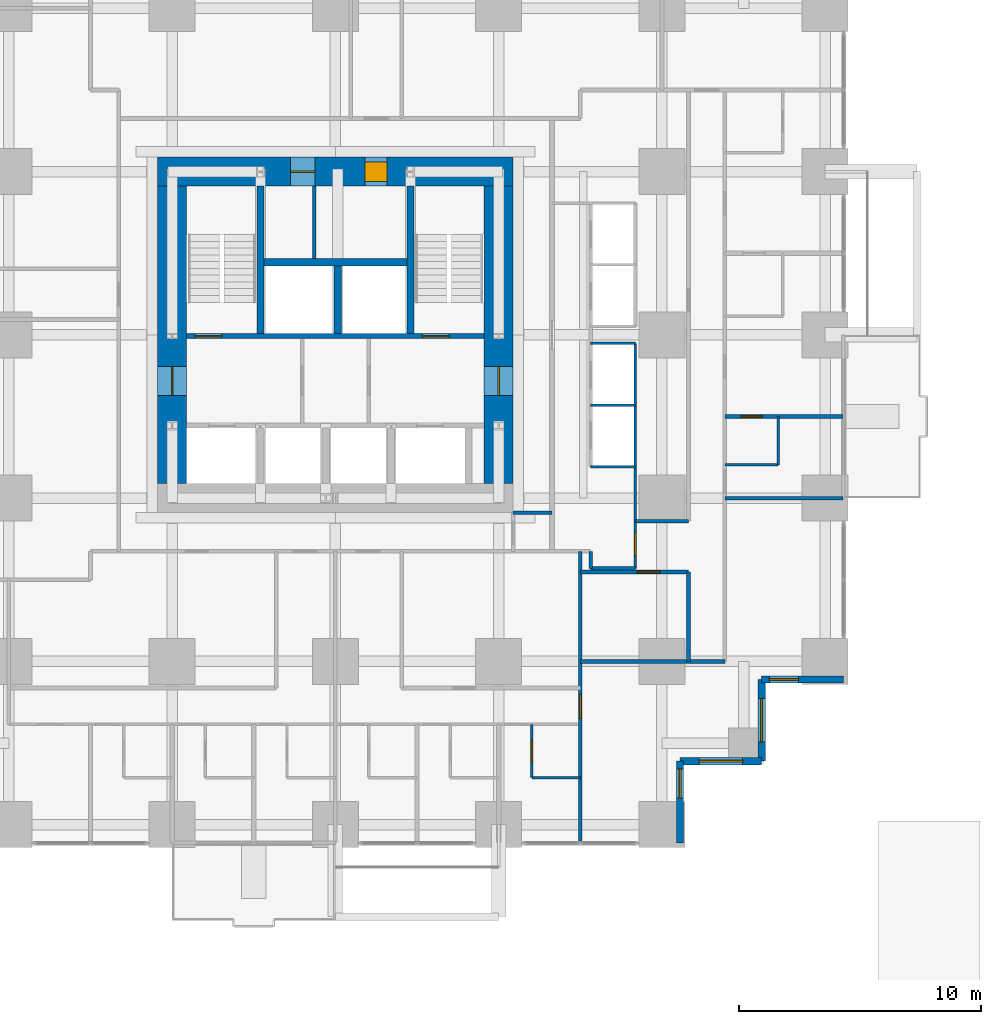
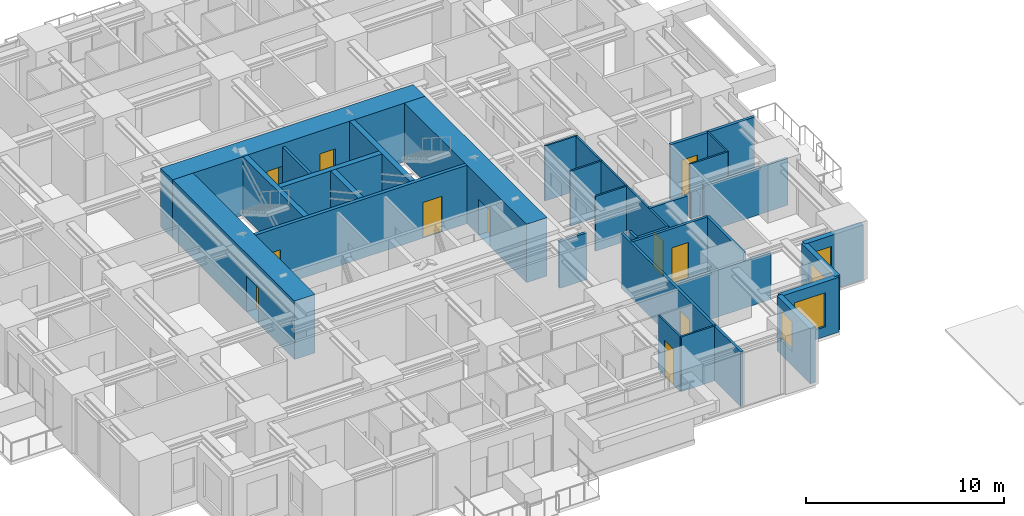
# One storey, part 10 of 14: 31 walls, 11 doors, 4 windows, 15 openings.
"""IFC4 building model written with IfcOpenShell, lengths in metres."""

from ifc_helpers import new_model, si_unit, direction, frame, frame_2d, origin, place, context, subcontext, project, spatial, rectangle, extrude, material, layer, layer_set, type_object, element, fill, save


model = new_model("IFC4")

# Units and contexts
model_context = context("Model", 3, precision=1e-05, world=origin(), true_north=direction((0.0, 1.0)))
body_context = subcontext(model_context, "Body", "Model", "MODEL_VIEW")
ifc_project = project(units=[si_unit("LENGTHUNIT", "METRE"), si_unit("AREAUNIT", "SQUARE_METRE"), si_unit("VOLUMEUNIT", "CUBIC_METRE"), si_unit("PLANEANGLEUNIT", "RADIAN"), si_unit("MASSUNIT", "GRAM", prefix="KILO")], contexts=[model_context])

# Site, building, storey
site_placement = place(None, origin())
site = spatial("IfcSite", under=ifc_project, at=site_placement, CompositionType="ELEMENT")
building_placement = place(site_placement, origin())
building = spatial("IfcBuilding", under=site, at=building_placement, Name="Nyansa Garden Tower", CompositionType="ELEMENT")
storey_placement = place(building_placement, frame((0.0, 0.0, 18.0)))
storey = spatial("IfcBuildingStorey", under=building, at=storey_placement, Name="L04", CompositionType="ELEMENT", Elevation=18.0)

# Wall, opening, door
ifc_material_1 = material(Name="Dense blockwork, plastered both sides, 55 dB", Category="masonry")
ifc_layer_1 = layer(ifc_material_1, 0.175048828125)
ifc_layer_set_1 = layer_set([ifc_layer_1], Name="Acoustic party wall PW175")
wall_type_1 = type_object("IfcWallType", Name="Acoustic party wall PW175", PredefinedType="PARTITIONING", material=ifc_layer_set_1)
wall_1_placement = place(storey_placement, frame((36.35009765625, 16.875, 0.0), z_axis=(0.0, 0.0, 1.0), x_axis=(1.0, 0.0, 0.0)))
wall_1 = element("IfcWall", 1, at=wall_1_placement, inside=storey, type_object=wall_type_1, Name="Party wall", PredefinedType="PARTITIONING", context=body_context, shape_type="SweptSolid", body=[
    extrude(rectangle(XDim=4.8837890625, YDim=0.175048828125, at=frame_2d((2.44189453125, 0.0))), origin(), (0.0, 0.0, 1.0), 3.375),
])
opening_1_placement = place(wall_1_placement, frame((0.64990234375, 0.0, 0.0)))
opening_1 = element("IfcOpeningElement", 2, at=opening_1_placement, cuts=wall_1, Name="Opening D02", PredefinedType="OPENING", context=body_context, shape_type="SweptSolid", body=[
    extrude(rectangle(XDim=0.89990234375, YDim=2.199951171875, at=frame_2d((0.449951171875, 1.10009765625))), frame((0.0, 0.097412109375, 0.0), z_axis=(0.0, -1.0, 0.0), x_axis=(1.0, 0.0, 0.0)), (0.0, 0.0, 1.0), 0.195068359375),
])
ifc_material_2 = material(Name="Timber flush door", Category="wood")
door_type_1 = type_object("IfcDoorType", Name="En-suite door D02 900x2200", OperationType="SINGLE_SWING_RIGHT", PredefinedType="DOOR", material=ifc_material_2)
door_1_placement = place(opening_1_placement, origin())
door_1 = element("IfcDoor", 3, at=door_1_placement, inside=storey, type_object=door_type_1, Name="Door L04-040", OperationType="SINGLE_SWING_RIGHT", OverallHeight=2.199951171875, OverallWidth=0.89990234375, PredefinedType="DOOR", context=body_context, shape_type="SweptSolid", body=[
    extrude(rectangle(XDim=0.89990234375, YDim=2.199951171875, at=frame_2d((0.449951171875, 1.10009765625))), frame((0.0, 0.02490234375, 0.0), z_axis=(0.0, -1.0, 0.0), x_axis=(1.0, 0.0, 0.0)), (0.0, 0.0, 1.0), 0.050048828125),
])
fill(opening_1, door_1)

# Wall, openings, doors
ifc_material_3 = material(Name="Concrete C70/85", Category="concrete")
ifc_layer_2 = layer(ifc_material_3, 0.199951171875)
ifc_layer_set_2 = layer_set([ifc_layer_2], Name="Core inner wall CI200")
wall_type_2 = type_object("IfcWallType", Name="Core inner wall CI200", PredefinedType="SHEAR", material=ifc_layer_set_2)
wall_2_placement = place(storey_placement, frame((14.10009765625, 20.199951171875, 0.0), z_axis=(0.0, 0.0, 1.0), x_axis=(1.0, 0.0, 0.0)))
wall_2 = element("IfcWall", 4, at=wall_2_placement, inside=storey, type_object=wall_type_2, Name="Core inner wall L04", PredefinedType="SHEAR", context=body_context, shape_type="SweptSolid", body=[
    extrude(rectangle(XDim=12.2998046875, YDim=0.199951171875, at=frame_2d((6.14990234375, 0.0))), origin(), (0.0, 0.0, 1.0), 3.60009765625),
])
opening_2_placement = place(wall_2_placement, frame((0.35009765625, 0.0, 0.0)))
opening_2 = element("IfcOpeningElement", 5, at=opening_2_placement, cuts=wall_2, Name="Opening D05", PredefinedType="OPENING", context=body_context, shape_type="SweptSolid", body=[
    extrude(rectangle(XDim=1.10009765625, YDim=2.199951171875, at=frame_2d((0.550048828125, 1.10009765625))), frame((0.0, 0.10986328125, 0.0), z_axis=(0.0, -1.0, 0.0), x_axis=(1.0, 0.0, 0.0)), (0.0, 0.0, 1.0), 0.219970703125),
])
opening_3_placement = place(wall_2_placement, frame((9.75, 0.0, 0.0)))
opening_3 = element("IfcOpeningElement", 6, at=opening_3_placement, cuts=wall_2, Name="Opening D05", PredefinedType="OPENING", context=body_context, shape_type="SweptSolid", body=[
    extrude(rectangle(XDim=1.10009765625, YDim=2.199951171875, at=frame_2d((0.550048828125, 1.10009765625))), frame((0.0, 0.10986328125, 0.0), z_axis=(0.0, -1.0, 0.0), x_axis=(1.0, 0.0, 0.0)), (0.0, 0.0, 1.0), 0.219970703125),
])
ifc_material_4 = material(Name="Steel door, 120 minute fire resisting", Category="steel")
door_type_2 = type_object("IfcDoorType", Name="Stair door D05 1100x2200", OperationType="SINGLE_SWING_LEFT", PredefinedType="DOOR", material=ifc_material_4)
door_2_placement = place(opening_2_placement, origin())
door_2 = element("IfcDoor", 7, at=door_2_placement, inside=storey, type_object=door_type_2, Name="Stair S1 door", OperationType="SINGLE_SWING_LEFT", OverallHeight=2.199951171875, OverallWidth=1.10009765625, PredefinedType="DOOR", context=body_context, shape_type="SweptSolid", body=[
    extrude(rectangle(XDim=1.10009765625, YDim=2.199951171875, at=frame_2d((0.550048828125, 1.10009765625))), frame((0.0, 0.02490234375, 0.0), z_axis=(0.0, -1.0, 0.0), x_axis=(1.0, 0.0, 0.0)), (0.0, 0.0, 1.0), 0.050048828125),
])
fill(opening_2, door_2)
door_3_placement = place(opening_3_placement, origin())
door_3 = element("IfcDoor", 8, at=door_3_placement, inside=storey, type_object=door_type_2, Name="Stair S2 door", OperationType="SINGLE_SWING_LEFT", OverallHeight=2.199951171875, OverallWidth=1.10009765625, PredefinedType="DOOR", context=body_context, shape_type="SweptSolid", body=[
    extrude(rectangle(XDim=1.10009765625, YDim=2.199951171875, at=frame_2d((0.550048828125, 1.10009765625))), frame((0.0, 0.02490234375, 0.0), z_axis=(0.0, -1.0, 0.0), x_axis=(1.0, 0.0, 0.0)), (0.0, 0.0, 1.0), 0.050048828125),
])
fill(opening_3, door_3)

# Walls
ifc_material_5 = material(Name="Concrete C70/85", Category="concrete")
ifc_layer_3 = layer(ifc_material_5, 0.300048828125)
ifc_layer_set_3 = layer_set([ifc_layer_3], Name="Core inner wall CI300")
wall_type_3 = type_object("IfcWallType", Name="Core inner wall CI300", PredefinedType="SHEAR", material=ifc_layer_set_3)
for number, where, z_axis, x_axis, name in (
    (9, (17.14990234375, 20.300048828125, 0.0), (0.0, 0.0, 1.0), (0.0, 1.0, 0.0), "Core inner wall L04"),
    (10, (23.35009765625, 20.300048828125, 0.0), (0.0, 0.0, 1.0), (0.0, 1.0, 0.0), "Core inner wall L04"),
):
    element("IfcWall", number, at=place(storey_placement, frame(where, z_axis=z_axis, x_axis=x_axis)), inside=storey, type_object=wall_type_3, Name=name, PredefinedType="SHEAR", context=body_context, shape_type="SweptSolid", body=[
        extrude(rectangle(XDim=6.099853515625, YDim=0.300048828125, at=frame_2d((3.0498046875, 0.0))), origin(), (0.0, 0.0, 1.0), 3.60009765625),
    ])
wall_3_placement = place(storey_placement, frame((20.35009765625, 20.300048828125, 0.0), z_axis=(0.0, 0.0, 1.0), x_axis=(0.0, 1.0, 0.0)))
element("IfcWall", 11, at=wall_3_placement, inside=storey, type_object=wall_type_3, Name="Core inner wall L04", PredefinedType="SHEAR", context=body_context, shape_type="SweptSolid", body=[
    extrude(rectangle(XDim=2.800048828125, YDim=0.300048828125, at=frame_2d((1.39990234375, 0.0))), origin(), (0.0, 0.0, 1.0), 3.60009765625),
])
wall_4_placement = place(storey_placement, frame((17.300048828125, 23.25, 0.0), z_axis=(0.0, 0.0, 1.0), x_axis=(1.0, 0.0, 0.0)))
element("IfcWall", 12, at=wall_4_placement, inside=storey, type_object=wall_type_3, Name="Core inner wall L04", PredefinedType="SHEAR", context=body_context, shape_type="SweptSolid", body=[
    extrude(rectangle(XDim=5.89990234375, YDim=0.300048828125, at=frame_2d((2.949951171875, 0.0))), origin(), (0.0, 0.0, 1.0), 3.60009765625),
])

# Wall, opening, door
ifc_material_6 = material(Name="Concrete C80/95", Category="concrete")
ifc_layer_4 = layer(ifc_material_6, 1.199951171875)
ifc_layer_set_4 = layer_set([ifc_layer_4], Name="Core wall CW1200")
wall_type_4 = type_object("IfcWallType", Name="Core wall CW1200", PredefinedType="SHEAR", material=ifc_layer_set_4)
wall_5_placement = place(storey_placement, frame((27.0, 14.10009765625, 0.0), z_axis=(0.0, 0.0, 1.0), x_axis=(0.0, 1.0, 0.0)))
wall_5 = element("IfcWall", 13, at=wall_5_placement, inside=storey, type_object=wall_type_4, Name="Core wall E L04", PredefinedType="SHEAR", context=body_context, shape_type="SweptSolid", body=[
    extrude(rectangle(XDim=12.2998046875, YDim=1.199951171875, at=frame_2d((6.14990234375, 0.0))), origin(), (0.0, 0.0, 1.0), 3.60009765625),
])
opening_4_placement = place(wall_5_placement, frame((3.64990234375, 0.0, 0.0)))
opening_4 = element("IfcOpeningElement", 14, at=opening_4_placement, cuts=wall_5, Name="Opening D06", PredefinedType="OPENING", context=body_context, shape_type="SweptSolid", body=[
    extrude(rectangle(XDim=1.199951171875, YDim=2.199951171875, at=frame_2d((0.60009765625, 1.10009765625))), frame((0.0, 0.60986328125, 0.0), z_axis=(0.0, -1.0, 0.0), x_axis=(1.0, 0.0, 0.0)), (0.0, 0.0, 1.0), 1.219970703125),
])
ifc_material_7 = material(Name="Steel door, 120 minute fire resisting", Category="steel")
door_type_3 = type_object("IfcDoorType", Name="Lobby door D06 1200x2200", OperationType="DOUBLE_DOOR_SINGLE_SWING", PredefinedType="DOOR", material=ifc_material_7)
door_4_placement = place(opening_4_placement, origin())
door_4 = element("IfcDoor", 15, at=door_4_placement, inside=storey, type_object=door_type_3, Name="Lift lobby door east", OperationType="DOUBLE_DOOR_SINGLE_SWING", OverallHeight=2.199951171875, OverallWidth=1.199951171875, PredefinedType="DOOR", context=body_context, shape_type="SweptSolid", body=[
    extrude(rectangle(XDim=1.199951171875, YDim=2.199951171875, at=frame_2d((0.60009765625, 1.10009765625))), frame((0.0, 0.02490234375, 0.0), z_axis=(0.0, -1.0, 0.0), x_axis=(1.0, 0.0, 0.0)), (0.0, 0.0, 1.0), 0.050048828125),
])
fill(opening_4, door_4)

# Wall, openings, doors
wall_6_placement = place(storey_placement, frame((27.60009765625, 27.0, 0.0), z_axis=(0.0, 0.0, 1.0), x_axis=(-1.0, 0.0, 0.0)))
wall_6 = element("IfcWall", 16, at=wall_6_placement, inside=storey, type_object=wall_type_4, Name="Core wall N L04", PredefinedType="SHEAR", context=body_context, shape_type="SweptSolid", body=[
    extrude(rectangle(XDim=14.7001953125, YDim=1.199951171875, at=frame_2d((7.35009765625, 0.0))), origin(), (0.0, 0.0, 1.0), 3.60009765625),
])
opening_5_placement = place(wall_6_placement, frame((5.22509765625, 0.0, 0.0)))
opening_5 = element("IfcOpeningElement", 17, at=opening_5_placement, cuts=wall_6, Name="Opening D15", PredefinedType="OPENING", context=body_context, shape_type="SweptSolid", body=[
    extrude(rectangle(XDim=0.89990234375, YDim=2.199951171875, at=frame_2d((0.449951171875, 1.10009765625))), frame((0.0, 0.60986328125, 0.0), z_axis=(0.0, -1.0, 0.0), x_axis=(1.0, 0.0, 0.0)), (0.0, 0.0, 1.0), 1.219970703125),
])
opening_6_placement = place(wall_6_placement, frame((8.199951171875, 0.0, 0.0)))
opening_6 = element("IfcOpeningElement", 18, at=opening_6_placement, cuts=wall_6, Name="Opening D07", PredefinedType="OPENING", context=body_context, shape_type="SweptSolid", body=[
    extrude(rectangle(XDim=1.0, YDim=2.199951171875, at=frame_2d((0.5, 1.10009765625))), frame((0.0, 0.60986328125, 0.0), z_axis=(0.0, -1.0, 0.0), x_axis=(1.0, 0.0, 0.0)), (0.0, 0.0, 1.0), 1.219970703125),
])
ifc_material_8 = material(Name="Timber flush door, 60 minute fire resisting, self-closing", Category="wood")
door_type_4 = type_object("IfcDoorType", Name="Core room door D15 900x2200", OperationType="SINGLE_SWING_LEFT", PredefinedType="DOOR", material=ifc_material_8)
door_5_placement = place(opening_5_placement, origin())
door_5 = element("IfcDoor", 19, at=door_5_placement, inside=storey, type_object=door_type_4, Name="Core room door", OperationType="SINGLE_SWING_LEFT", OverallHeight=2.199951171875, OverallWidth=0.89990234375, PredefinedType="DOOR", context=body_context, shape_type="SweptSolid", body=[
    extrude(rectangle(XDim=0.89990234375, YDim=2.199951171875, at=frame_2d((0.449951171875, 1.10009765625))), frame((0.0, 0.39990234375, 0.0), z_axis=(0.0, -1.0, 0.0), x_axis=(1.0, 0.0, 0.0)), (0.0, 0.0, 1.0), 0.800048828125),
])
fill(opening_5, door_5)
ifc_material_9 = material(Name="Steel door, 120 minute fire resisting", Category="steel")
door_type_5 = type_object("IfcDoorType", Name="Riser door D07 1000x2200", OperationType="SINGLE_SWING_LEFT", PredefinedType="DOOR", material=ifc_material_9)
door_6_placement = place(opening_6_placement, origin())
door_6 = element("IfcDoor", 20, at=door_6_placement, inside=storey, type_object=door_type_5, Name="Riser and refuse room door", OperationType="SINGLE_SWING_LEFT", OverallHeight=2.199951171875, OverallWidth=1.0, PredefinedType="DOOR", context=body_context, shape_type="SweptSolid", body=[
    extrude(rectangle(XDim=1.0, YDim=2.199951171875, at=frame_2d((0.5, 1.10009765625))), frame((0.0, 0.02490234375, 0.0), z_axis=(0.0, -1.0, 0.0), x_axis=(1.0, 0.0, 0.0)), (0.0, 0.0, 1.0), 0.050048828125),
])
fill(opening_6, door_6)

# Wall, opening, door
wall_7_placement = place(storey_placement, frame((13.5, 26.39990234375, 0.0), z_axis=(0.0, 0.0, 1.0), x_axis=(0.0, -1.0, 0.0)))
wall_7 = element("IfcWall", 21, at=wall_7_placement, inside=storey, type_object=wall_type_4, Name="Core wall W L04", PredefinedType="SHEAR", context=body_context, shape_type="SweptSolid", body=[
    extrude(rectangle(XDim=12.2998046875, YDim=1.199951171875, at=frame_2d((6.14990234375, 0.0))), origin(), (0.0, 0.0, 1.0), 3.60009765625),
])
opening_7_placement = place(wall_7_placement, frame((7.449951171875, 0.0, 0.0)))
opening_7 = element("IfcOpeningElement", 22, at=opening_7_placement, cuts=wall_7, Name="Opening D06", PredefinedType="OPENING", context=body_context, shape_type="SweptSolid", body=[
    extrude(rectangle(XDim=1.199951171875, YDim=2.199951171875, at=frame_2d((0.60009765625, 1.10009765625))), frame((0.0, 0.60986328125, 0.0), z_axis=(0.0, -1.0, 0.0), x_axis=(1.0, 0.0, 0.0)), (0.0, 0.0, 1.0), 1.219970703125),
])
door_7_placement = place(opening_7_placement, origin())
door_7 = element("IfcDoor", 23, at=door_7_placement, inside=storey, type_object=door_type_3, Name="Lift lobby door west", OperationType="DOUBLE_DOOR_SINGLE_SWING", OverallHeight=2.199951171875, OverallWidth=1.199951171875, PredefinedType="DOOR", context=body_context, shape_type="SweptSolid", body=[
    extrude(rectangle(XDim=1.199951171875, YDim=2.199951171875, at=frame_2d((0.60009765625, 1.10009765625))), frame((0.0, 0.02490234375, 0.0), z_axis=(0.0, -1.0, 0.0), x_axis=(1.0, 0.0, 0.0)), (0.0, 0.0, 1.0), 0.050048828125),
])
fill(opening_7, door_7)

# Walls
ifc_material_10 = material(Name="Steel-stud shaft wall, two layers fire-rated board, EI 120", Category="steel")
ifc_layer_5 = layer(ifc_material_10, 0.10009765625)
ifc_layer_set_5 = layer_set([ifc_layer_5], Name="Lift shaft wall SW100")
wall_type_5 = type_object("IfcWallType", Name="Lift shaft wall SW100", PredefinedType="SHEAR", material=ifc_layer_set_5)
for number, where, z_axis, x_axis, name in (
    (24, (30.800048828125, 14.800048828125, 0.0), (0.0, 0.0, 1.0), (1.0, 0.0, 0.0), "Lift shaft wall"),
    (25, (30.800048828125, 17.35009765625, 0.0), (0.0, 0.0, 1.0), (1.0, 0.0, 0.0), "Lift shaft wall"),
    (26, (30.800048828125, 19.89990234375, 0.0), (0.0, 0.0, 1.0), (1.0, 0.0, 0.0), "Lift shaft wall"),
):
    element("IfcWall", number, at=place(storey_placement, frame(where, z_axis=z_axis, x_axis=x_axis)), inside=storey, type_object=wall_type_5, Name=name, PredefinedType="SHEAR", context=body_context, shape_type="SweptSolid", body=[
        extrude(rectangle(XDim=1.849853515625, YDim=0.10009765625, at=frame_2d((0.9248046875, 0.0))), origin(), (0.0, 0.0, 1.0), 3.375),
    ])

# Wall, opening, door
wall_8_placement = place(storey_placement, frame((32.64990234375, 10.60009765625, 0.0), z_axis=(0.0, 0.0, 1.0), x_axis=(0.0, 1.0, 0.0)))
wall_8 = element("IfcWall", 27, at=wall_8_placement, inside=storey, type_object=wall_type_5, Name="Lift shaft wall", PredefinedType="SHEAR", context=body_context, shape_type="SweptSolid", body=[
    extrude(rectangle(XDim=9.2998046875, YDim=0.10009765625, at=frame_2d((4.64990234375, 0.0))), origin(), (0.0, 0.0, 1.0), 3.375),
])
opening_8_placement = place(wall_8_placement, frame((0.5, 0.0, 0.0)))
opening_8 = element("IfcOpeningElement", 28, at=opening_8_placement, cuts=wall_8, Name="Opening D03", PredefinedType="OPENING", context=body_context, shape_type="SweptSolid", body=[
    extrude(rectangle(XDim=1.0, YDim=2.199951171875, at=frame_2d((0.5, 1.10009765625))), frame((0.0, 0.06005859375, 0.0), z_axis=(0.0, -1.0, 0.0), x_axis=(1.0, 0.0, 0.0)), (0.0, 0.0, 1.0), 0.1201171875),
])
ifc_material_11 = material(Name="Timber flush door, 60 minute fire resisting", Category="wood")
door_type_6 = type_object("IfcDoorType", Name="Cluster entrance door D03 1000x2200", OperationType="SINGLE_SWING_LEFT", PredefinedType="DOOR", material=ifc_material_11)
door_8_placement = place(opening_8_placement, origin())
door_8 = element("IfcDoor", 29, at=door_8_placement, inside=storey, type_object=door_type_6, Name="Door L04-041", OperationType="SINGLE_SWING_LEFT", OverallHeight=2.199951171875, OverallWidth=1.0, PredefinedType="DOOR", context=body_context, shape_type="SweptSolid", body=[
    extrude(rectangle(XDim=1.0, YDim=2.199951171875, at=frame_2d((0.5, 1.10009765625))), frame((0.0, 0.02490234375, 0.0), z_axis=(0.0, -1.0, 0.0), x_axis=(1.0, 0.0, 0.0)), (0.0, 0.0, 1.0), 0.050048828125),
])
fill(opening_8, door_8)

# Walls
ifc_material_12 = material(Name="Blockwork, plastered both sides", Category="masonry")
ifc_layer_6 = layer(ifc_material_12, 0.14990234375)
ifc_layer_set_6 = layer_set([ifc_layer_6], Name="Partition PW150")
wall_type_6 = type_object("IfcWallType", Name="Partition PW150", PredefinedType="PARTITIONING", material=ifc_layer_set_6)
wall_9_placement = place(storey_placement, frame((19.375, 23.39990234375, 0.0), z_axis=(0.0, 0.0, 1.0), x_axis=(0.0, 1.0, 0.0)))
element("IfcWall", 30, at=wall_9_placement, inside=storey, type_object=wall_type_6, Name="Partition", PredefinedType="PARTITIONING", context=body_context, shape_type="SweptSolid", body=[
    extrude(rectangle(XDim=3.0, YDim=0.14990234375, at=frame_2d((1.5, 0.0))), origin(), (0.0, 0.0, 1.0), 3.375),
])
wall_10_placement = place(storey_placement, frame((27.60009765625, 12.89990234375, 0.0), z_axis=(0.0, 0.0, 1.0), x_axis=(1.0, 0.0, 0.0)))
element("IfcWall", 31, at=wall_10_placement, inside=storey, type_object=wall_type_6, Name="Partition", PredefinedType="PARTITIONING", context=body_context, shape_type="SweptSolid", body=[
    extrude(rectangle(XDim=1.599853515625, YDim=0.14990234375, at=frame_2d((0.7998046875, 0.0))), origin(), (0.0, 0.0, 1.0), 2.876953125),
])

# Wall, opening, door
wall_11_placement = place(storey_placement, frame((30.375, -0.73388671875, 0.0), z_axis=(0.0, 0.0, 1.0), x_axis=(0.0, 1.0, 0.0)))
wall_11 = element("IfcWall", 32, at=wall_11_placement, inside=storey, type_object=wall_type_6, Name="Partition", PredefinedType="PARTITIONING", context=body_context, shape_type="SweptSolid", body=[
    extrude(rectangle(XDim=12.033935546875, YDim=0.14990234375, at=frame_2d((6.01708984375, 0.0))), origin(), (0.0, 0.0, 1.0), 3.375),
])
opening_9_placement = place(wall_11_placement, frame((5.134033203125, 0.0, 0.0)))
opening_9 = element("IfcOpeningElement", 33, at=opening_9_placement, cuts=wall_11, Name="Opening D03", PredefinedType="OPENING", context=body_context, shape_type="SweptSolid", body=[
    extrude(rectangle(XDim=1.0, YDim=2.199951171875, at=frame_2d((0.5, 1.10009765625))), frame((0.0, 0.0849609375, 0.0), z_axis=(0.0, -1.0, 0.0), x_axis=(1.0, 0.0, 0.0)), (0.0, 0.0, 1.0), 0.169921875),
])
door_9_placement = place(opening_9_placement, origin())
door_9 = element("IfcDoor", 34, at=door_9_placement, inside=storey, type_object=door_type_6, Name="Door L04-034", OperationType="SINGLE_SWING_LEFT", OverallHeight=2.199951171875, OverallWidth=1.0, PredefinedType="DOOR", context=body_context, shape_type="SweptSolid", body=[
    extrude(rectangle(XDim=1.0, YDim=2.199951171875, at=frame_2d((0.5, 1.10009765625))), frame((0.0, 0.02490234375, 0.0), z_axis=(0.0, -1.0, 0.0), x_axis=(1.0, 0.0, 0.0)), (0.0, 0.0, 1.0), 0.050048828125),
])
fill(opening_9, door_9)

# Wall
wall_12_placement = place(storey_placement, frame((30.375, 6.75, 0.0), z_axis=(0.0, 0.0, 1.0), x_axis=(1.0, 0.0, 0.0)))
element("IfcWall", 35, at=wall_12_placement, inside=storey, type_object=wall_type_6, Name="Partition", PredefinedType="PARTITIONING", context=body_context, shape_type="SweptSolid", body=[
    extrude(rectangle(XDim=5.97509765625, YDim=0.14990234375, at=frame_2d((2.987548828125, 0.0))), origin(), (0.0, 0.0, 1.0), 2.876953125),
])

# Wall, opening, door
wall_13_placement = place(storey_placement, frame((30.375, 10.449951171875, 0.0), z_axis=(0.0, 0.0, 1.0), x_axis=(1.0, 0.0, 0.0)))
wall_13 = element("IfcWall", 36, at=wall_13_placement, inside=storey, type_object=wall_type_6, Name="Partition", PredefinedType="PARTITIONING", context=body_context, shape_type="SweptSolid", body=[
    extrude(rectangle(XDim=4.47509765625, YDim=0.14990234375, at=frame_2d((2.237548828125, 0.0))), origin(), (0.0, 0.0, 1.0), 3.375),
])
opening_10_placement = place(wall_13_placement, frame((2.35009765625, 0.0, 0.0)))
opening_10 = element("IfcOpeningElement", 37, at=opening_10_placement, cuts=wall_13, Name="Opening D01", PredefinedType="OPENING", context=body_context, shape_type="SweptSolid", body=[
    extrude(rectangle(XDim=0.949951171875, YDim=2.199951171875, at=frame_2d((0.47509765625, 1.10009765625))), frame((0.0, 0.0849609375, 0.0), z_axis=(0.0, -1.0, 0.0), x_axis=(1.0, 0.0, 0.0)), (0.0, 0.0, 1.0), 0.169921875),
])
ifc_material_13 = material(Name="Timber flush door, 30 minute fire resisting", Category="wood")
door_type_7 = type_object("IfcDoorType", Name="Bedroom door D01 950x2200", OperationType="SINGLE_SWING_LEFT", PredefinedType="DOOR", material=ifc_material_13)
door_10_placement = place(opening_10_placement, origin())
door_10 = element("IfcDoor", 38, at=door_10_placement, inside=storey, type_object=door_type_7, Name="Door L04-043", OperationType="SINGLE_SWING_LEFT", OverallHeight=2.199951171875, OverallWidth=0.949951171875, PredefinedType="DOOR", context=body_context, shape_type="SweptSolid", body=[
    extrude(rectangle(XDim=0.949951171875, YDim=2.199951171875, at=frame_2d((0.47509765625, 1.10009765625))), frame((0.0, 0.02490234375, 0.0), z_axis=(0.0, -1.0, 0.0), x_axis=(1.0, 0.0, 0.0)), (0.0, 0.0, 1.0), 0.050048828125),
])
fill(opening_10, door_10)

# Walls
wall_14_placement = place(storey_placement, frame((30.800048828125, 10.60009765625, 0.0), z_axis=(0.0, 0.0, 1.0), x_axis=(0.0, 1.0, 0.0)))
element("IfcWall", 39, at=wall_14_placement, inside=storey, type_object=wall_type_6, Name="Partition", PredefinedType="PARTITIONING", context=body_context, shape_type="SweptSolid", body=[
    extrude(rectangle(XDim=0.699951171875, YDim=0.14990234375, at=frame_2d((0.35009765625, 0.0))), origin(), (0.0, 0.0, 1.0), 3.375),
])
wall_15_placement = place(storey_placement, frame((30.800048828125, 10.60009765625, 0.0), z_axis=(0.0, 0.0, 1.0), x_axis=(1.0, 0.0, 0.0)))
element("IfcWall", 40, at=wall_15_placement, inside=storey, type_object=wall_type_6, Name="Partition", PredefinedType="PARTITIONING", context=body_context, shape_type="SweptSolid", body=[
    extrude(rectangle(XDim=1.849853515625, YDim=0.14990234375, at=frame_2d((0.9248046875, 0.0))), origin(), (0.0, 0.0, 1.0), 3.375),
])
wall_16_placement = place(storey_placement, frame((32.64990234375, 12.550048828125, 0.0), z_axis=(0.0, 0.0, 1.0), x_axis=(1.0, 0.0, 0.0)))
element("IfcWall", 41, at=wall_16_placement, inside=storey, type_object=wall_type_6, Name="Partition", PredefinedType="PARTITIONING", context=body_context, shape_type="SweptSolid", body=[
    extrude(rectangle(XDim=2.2001953125, YDim=0.14990234375, at=frame_2d((1.10009765625, 0.0))), origin(), (0.0, 0.0, 1.0), 3.375),
])
wall_17_placement = place(storey_placement, frame((34.85009765625, 6.75, 0.0), z_axis=(0.0, 0.0, 1.0), x_axis=(0.0, 1.0, 0.0)))
element("IfcWall", 42, at=wall_17_placement, inside=storey, type_object=wall_type_6, Name="Partition", PredefinedType="PARTITIONING", context=body_context, shape_type="SweptSolid", body=[
    extrude(rectangle(XDim=3.699951171875, YDim=0.14990234375, at=frame_2d((1.85009765625, 0.0))), origin(), (0.0, 0.0, 1.0), 3.375),
])
wall_18_placement = place(storey_placement, frame((36.35009765625, 13.5, 0.0), z_axis=(0.0, 0.0, 1.0), x_axis=(1.0, 0.0, 0.0)))
element("IfcWall", 43, at=wall_18_placement, inside=storey, type_object=wall_type_6, Name="Partition", PredefinedType="PARTITIONING", context=body_context, shape_type="SweptSolid", body=[
    extrude(rectangle(XDim=4.8837890625, YDim=0.14990234375, at=frame_2d((2.44189453125, 0.0))), origin(), (0.0, 0.0, 1.0), 2.876953125),
])

# Wall, opening, window
ifc_material_14 = material(Name="Turquoise glazed tile on concrete blockwork", Category="masonry")
ifc_layer_7 = layer(ifc_material_14, 0.300048828125)
ifc_layer_set_7 = layer_set([ifc_layer_7], Name="Tiled corner wall TW300")
wall_type_7 = type_object("IfcWallType", Name="Tiled corner wall TW300", PredefinedType="SOLIDWALL", material=ifc_layer_set_7)
wall_19_placement = place(storey_placement, frame((34.5, -0.75, 0.0), z_axis=(0.0, 0.0, 1.0), x_axis=(0.0, 1.0, 0.0)))
wall_19 = element("IfcWall", 44, at=wall_19_placement, inside=storey, type_object=wall_type_7, Name="Tiled corner wall L04", PredefinedType="SOLIDWALL", context=body_context, shape_type="SweptSolid", body=[
    extrude(rectangle(XDim=3.375, YDim=0.300048828125, at=frame_2d((1.6875, 0.0))), origin(), (0.0, 0.0, 1.0), 3.375),
])
opening_11_placement = place(wall_19_placement, frame((1.857421875, 0.0, 0.89990234375)))
opening_11 = element("IfcOpeningElement", 45, at=opening_11_placement, cuts=wall_19, Name="Opening W4", PredefinedType="OPENING", context=body_context, shape_type="SweptSolid", body=[
    extrude(rectangle(XDim=1.199951171875, YDim=1.800048828125, at=frame_2d((0.60009765625, 0.89990234375))), frame((0.0, 0.159912109375, 0.0), z_axis=(0.0, -1.0, 0.0), x_axis=(1.0, 0.0, 0.0)), (0.0, 0.0, 1.0), 0.320068359375),
])
ifc_material_15 = material(Name="Black aluminium frame, dark tinted double glazing", Category="aluminium")
window_type_1 = type_object("IfcWindowType", Name="Window W4 1200x1800", PartitioningType="SINGLE_PANEL", PredefinedType="WINDOW", material=ifc_material_15)
window_1_placement = place(opening_11_placement, origin())
window_1 = element("IfcWindow", 46, at=window_1_placement, inside=storey, type_object=window_type_1, Name="Corner window L04", OverallHeight=1.800048828125, OverallWidth=1.199951171875, PartitioningType="SINGLE_PANEL", PredefinedType="WINDOW", context=body_context, shape_type="SweptSolid", body=[
    extrude(rectangle(XDim=1.199951171875, YDim=1.800048828125, at=frame_2d((0.60009765625, 0.89990234375))), frame((0.0, 0.030029296875, 0.0), z_axis=(0.0, -1.0, 0.0), x_axis=(1.0, 0.0, 0.0)), (0.0, 0.0, 1.0), 0.06005859375),
])
fill(opening_11, window_1)

wall_20_placement = place(storey_placement, frame((34.5, 2.625, 0.0), z_axis=(0.0, 0.0, 1.0), x_axis=(1.0, 0.0, 0.0)))
wall_20 = element("IfcWall", 47, at=wall_20_placement, inside=storey, type_object=wall_type_7, Name="Tiled corner wall L04", PredefinedType="SOLIDWALL", context=body_context, shape_type="SweptSolid", body=[
    extrude(rectangle(XDim=3.375, YDim=0.300048828125, at=frame_2d((1.6875, 0.0))), origin(), (0.0, 0.0, 1.0), 3.375),
])
opening_12_placement = place(wall_20_placement, frame((0.78759765625, 0.0, 0.60009765625)))
opening_12 = element("IfcOpeningElement", 48, at=opening_12_placement, cuts=wall_20, Name="Opening W2", PredefinedType="OPENING", context=body_context, shape_type="SweptSolid", body=[
    extrude(rectangle(XDim=1.800048828125, YDim=2.10009765625, at=frame_2d((0.89990234375, 1.050048828125))), frame((0.0, 0.159912109375, 0.0), z_axis=(0.0, -1.0, 0.0), x_axis=(1.0, 0.0, 0.0)), (0.0, 0.0, 1.0), 0.320068359375),
])
ifc_material_16 = material(Name="Black aluminium frame, dark tinted double glazing", Category="aluminium")
window_type_2 = type_object("IfcWindowType", Name="Window W2 1800x2100", PartitioningType="SINGLE_PANEL", PredefinedType="WINDOW", material=ifc_material_16)
window_2_placement = place(opening_12_placement, origin())
window_2 = element("IfcWindow", 49, at=window_2_placement, inside=storey, type_object=window_type_2, Name="Corner window L04", OverallHeight=2.10009765625, OverallWidth=1.800048828125, PartitioningType="SINGLE_PANEL", PredefinedType="WINDOW", context=body_context, shape_type="SweptSolid", body=[
    extrude(rectangle(XDim=1.800048828125, YDim=2.10009765625, at=frame_2d((0.89990234375, 1.050048828125))), frame((0.0, 0.030029296875, 0.0), z_axis=(0.0, -1.0, 0.0), x_axis=(1.0, 0.0, 0.0)), (0.0, 0.0, 1.0), 0.06005859375),
])
fill(opening_12, window_2)

wall_21_placement = place(storey_placement, frame((37.875, 2.625, 0.0), z_axis=(0.0, 0.0, 1.0), x_axis=(0.0, 1.0, 0.0)))
wall_21 = element("IfcWall", 50, at=wall_21_placement, inside=storey, type_object=wall_type_7, Name="Tiled corner wall L04", PredefinedType="SOLIDWALL", context=body_context, shape_type="SweptSolid", body=[
    extrude(rectangle(XDim=3.375, YDim=0.300048828125, at=frame_2d((1.6875, 0.0))), origin(), (0.0, 0.0, 1.0), 3.375),
])
opening_13_placement = place(wall_21_placement, frame((0.78759765625, 0.0, 0.60009765625)))
opening_13 = element("IfcOpeningElement", 51, at=opening_13_placement, cuts=wall_21, Name="Opening W2", PredefinedType="OPENING", context=body_context, shape_type="SweptSolid", body=[
    extrude(rectangle(XDim=1.800048828125, YDim=2.10009765625, at=frame_2d((0.89990234375, 1.050048828125))), frame((0.0, 0.159912109375, 0.0), z_axis=(0.0, -1.0, 0.0), x_axis=(1.0, 0.0, 0.0)), (0.0, 0.0, 1.0), 0.320068359375),
])
window_3_placement = place(opening_13_placement, origin())
window_3 = element("IfcWindow", 52, at=window_3_placement, inside=storey, type_object=window_type_2, Name="Corner window L04", OverallHeight=2.10009765625, OverallWidth=1.800048828125, PartitioningType="SINGLE_PANEL", PredefinedType="WINDOW", context=body_context, shape_type="SweptSolid", body=[
    extrude(rectangle(XDim=1.800048828125, YDim=2.10009765625, at=frame_2d((0.89990234375, 1.050048828125))), frame((0.0, 0.030029296875, 0.0), z_axis=(0.0, -1.0, 0.0), x_axis=(1.0, 0.0, 0.0)), (0.0, 0.0, 1.0), 0.06005859375),
])
fill(opening_13, window_3)

wall_22_placement = place(storey_placement, frame((37.875, 6.0, 0.0), z_axis=(0.0, 0.0, 1.0), x_axis=(1.0, 0.0, 0.0)))
wall_22 = element("IfcWall", 53, at=wall_22_placement, inside=storey, type_object=wall_type_7, Name="Tiled corner wall L04", PredefinedType="SOLIDWALL", context=body_context, shape_type="SweptSolid", body=[
    extrude(rectangle(XDim=3.375, YDim=0.300048828125, at=frame_2d((1.6875, 0.0))), origin(), (0.0, 0.0, 1.0), 3.375),
])
opening_14_placement = place(wall_22_placement, frame((0.3173828125, 0.0, 0.89990234375)))
opening_14 = element("IfcOpeningElement", 54, at=opening_14_placement, cuts=wall_22, Name="Opening W4", PredefinedType="OPENING", context=body_context, shape_type="SweptSolid", body=[
    extrude(rectangle(XDim=1.199951171875, YDim=1.800048828125, at=frame_2d((0.60009765625, 0.89990234375))), frame((0.0, 0.159912109375, 0.0), z_axis=(0.0, -1.0, 0.0), x_axis=(1.0, 0.0, 0.0)), (0.0, 0.0, 1.0), 0.320068359375),
])
window_4_placement = place(opening_14_placement, origin())
window_4 = element("IfcWindow", 55, at=window_4_placement, inside=storey, type_object=window_type_1, Name="Corner window L04", OverallHeight=1.800048828125, OverallWidth=1.199951171875, PartitioningType="SINGLE_PANEL", PredefinedType="WINDOW", context=body_context, shape_type="SweptSolid", body=[
    extrude(rectangle(XDim=1.199951171875, YDim=1.800048828125, at=frame_2d((0.60009765625, 0.89990234375))), frame((0.0, 0.030029296875, 0.0), z_axis=(0.0, -1.0, 0.0), x_axis=(1.0, 0.0, 0.0)), (0.0, 0.0, 1.0), 0.06005859375),
])
fill(opening_14, window_4)

# Wall, opening, door
ifc_material_17 = material(Name="Moisture resistant board on steel studs, tiled", Category="steel")
ifc_layer_8 = layer(ifc_material_17, 0.10009765625)
ifc_layer_set_8 = layer_set([ifc_layer_8], Name="Wet wall PW100")
wall_type_8 = type_object("IfcWallType", Name="Wet wall PW100", PredefinedType="PARTITIONING", material=ifc_layer_set_8)
wall_23_placement = place(storey_placement, frame((28.375, 1.949951171875, 0.0), z_axis=(0.0, 0.0, 1.0), x_axis=(0.0, 1.0, 0.0)))
wall_23 = element("IfcWall", 56, at=wall_23_placement, inside=storey, type_object=wall_type_8, Name="Wet wall", PredefinedType="PARTITIONING", context=body_context, shape_type="SweptSolid", body=[
    extrude(rectangle(XDim=2.199951171875, YDim=0.10009765625, at=frame_2d((1.10009765625, 0.0))), origin(), (0.0, 0.0, 1.0), 3.375),
])
opening_15_placement = place(wall_23_placement, frame((0.64990234375, 0.0, 0.0)))
opening_15 = element("IfcOpeningElement", 57, at=opening_15_placement, cuts=wall_23, Name="Opening D02", PredefinedType="OPENING", context=body_context, shape_type="SweptSolid", body=[
    extrude(rectangle(XDim=0.89990234375, YDim=2.199951171875, at=frame_2d((0.449951171875, 1.10009765625))), frame((0.0, 0.06005859375, 0.0), z_axis=(0.0, -1.0, 0.0), x_axis=(1.0, 0.0, 0.0)), (0.0, 0.0, 1.0), 0.1201171875),
])
door_11_placement = place(opening_15_placement, origin())
door_11 = element("IfcDoor", 58, at=door_11_placement, inside=storey, type_object=door_type_1, Name="Door L04-030", OperationType="SINGLE_SWING_RIGHT", OverallHeight=2.199951171875, OverallWidth=0.89990234375, PredefinedType="DOOR", context=body_context, shape_type="SweptSolid", body=[
    extrude(rectangle(XDim=0.89990234375, YDim=2.199951171875, at=frame_2d((0.449951171875, 1.10009765625))), frame((0.0, 0.02490234375, 0.0), z_axis=(0.0, -1.0, 0.0), x_axis=(1.0, 0.0, 0.0)), (0.0, 0.0, 1.0), 0.050048828125),
])
fill(opening_15, door_11)

# Walls
wall_24_placement = place(storey_placement, frame((28.375, 1.949951171875, 0.0), z_axis=(0.0, 0.0, 1.0), x_axis=(1.0, 0.0, 0.0)))
element("IfcWall", 59, at=wall_24_placement, inside=storey, type_object=wall_type_8, Name="Wet wall", PredefinedType="PARTITIONING", context=body_context, shape_type="SweptSolid", body=[
    extrude(rectangle(XDim=2.0, YDim=0.10009765625, at=frame_2d((1.0, 0.0))), origin(), (0.0, 0.0, 1.0), 3.375),
])
wall_25_placement = place(storey_placement, frame((36.35009765625, 14.875, 0.0), z_axis=(0.0, 0.0, 1.0), x_axis=(1.0, 0.0, 0.0)))
element("IfcWall", 60, at=wall_25_placement, inside=storey, type_object=wall_type_8, Name="Wet wall", PredefinedType="PARTITIONING", context=body_context, shape_type="SweptSolid", body=[
    extrude(rectangle(XDim=2.199951171875, YDim=0.10009765625, at=frame_2d((1.10009765625, 0.0))), origin(), (0.0, 0.0, 1.0), 3.375),
])
wall_26_placement = place(storey_placement, frame((38.550048828125, 14.875, 0.0), z_axis=(0.0, 0.0, 1.0), x_axis=(0.0, 1.0, 0.0)))
element("IfcWall", 61, at=wall_26_placement, inside=storey, type_object=wall_type_8, Name="Wet wall", PredefinedType="PARTITIONING", context=body_context, shape_type="SweptSolid", body=[
    extrude(rectangle(XDim=2.0, YDim=0.10009765625, at=frame_2d((1.0, 0.0))), origin(), (0.0, 0.0, 1.0), 3.375),
])

save(model, "model.ifc")
